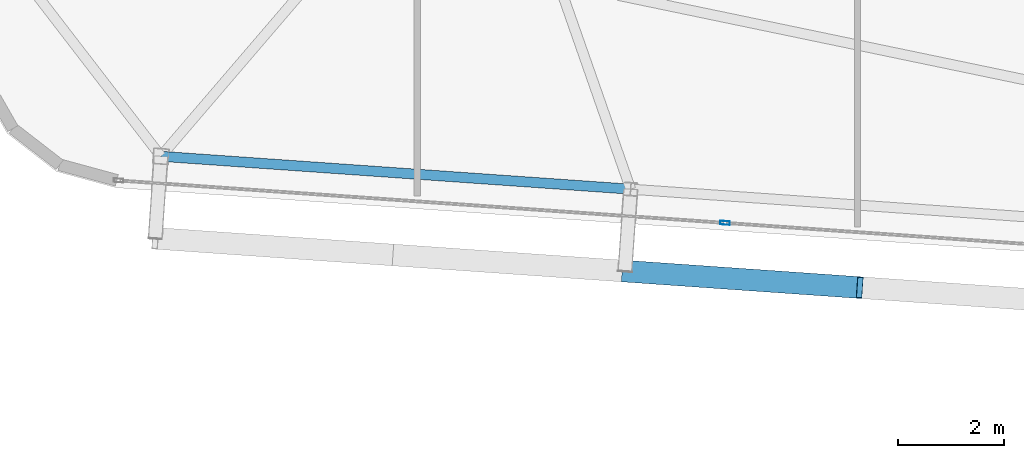
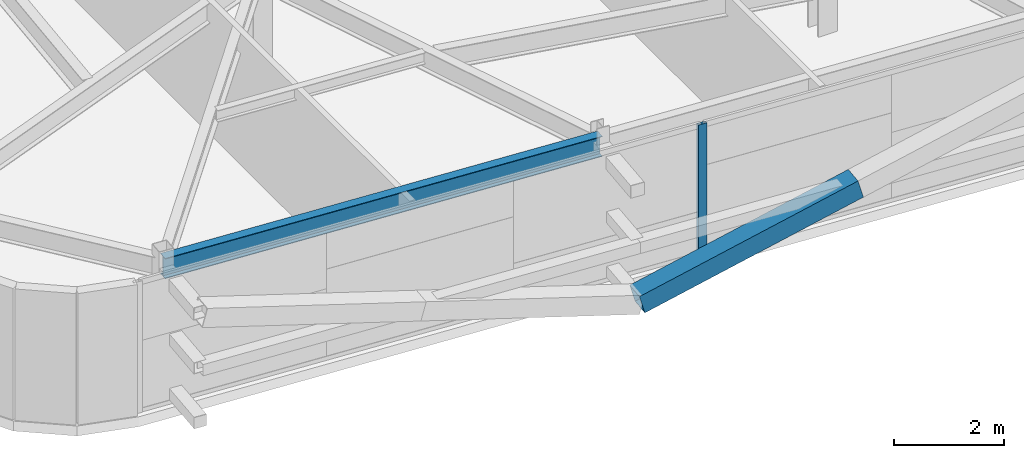
# One storey, part 7 of 39: 2 members, 1 beam, 1 element without a shape of its own.
"""IFC4 building model written with IfcOpenShell, lengths in metres."""

import ifcopenshell
import ifcopenshell.guid

model = None  # the IFC model being written
_history = None  # IfcOwnerHistory: only IFC2X3 demands one
_inside = {}  # id of a spatial element -> (the spatial element, [elements in it])
_under = {}  # id of a project, library or spatial element -> (it, [spatial elements below it])
_declared = {}  # id of a project -> (the project, [libraries it declares])
_typed = {}  # id of a type object -> (the type object, [elements of that type])
_made_of = {}  # id of a material, layer set ... -> (it, [elements and type objects made of it])


def new_model(schema):
    """Start an empty IFC model of exactly this schema.

    Asked for "IFC4X3", IfcOpenShell would pick the latest addendum, in which some entities
    have other attributes; the version numbers below select the first issue.
    IFC2X3 requires an IfcOwnerHistory on every rooted entity: one is made here for all.
    """
    global model, _history
    if schema == "IFC4X3":
        model = ifcopenshell.file(schema_version=(4, 3, 0, 0))
    else:
        model = ifcopenshell.file(schema=schema)
    _inside.clear()
    _under.clear()
    _declared.clear()
    _typed.clear()
    _made_of.clear()
    _history = None
    if model.schema == "IFC2X3":
        org = make("IfcOrganization", Name="unknown")
        user = make(
            "IfcPersonAndOrganization",
            ThePerson=make("IfcPerson", FamilyName="unknown"),
            TheOrganization=org,
        )
        app = make(
            "IfcApplication",
            ApplicationDeveloper=org,
            Version="unknown",
            ApplicationFullName="unknown",
            ApplicationIdentifier="unknown",
        )
        _history = make(
            "IfcOwnerHistory",
            OwningUser=user,
            OwningApplication=app,
            ChangeAction="ADDED",
            CreationDate=0,
        )
    return model


def make(cls, **values):
    """One entity of the class cls with the attributes given. An attribute that is None is left unset."""
    return model.create_entity(
        cls, **{name: value for name, value in values.items() if value is not None}
    )


def rooted(cls, **values):
    """An entity with a GlobalId (a new one), such as an element, a storey or a relation."""
    return make(cls, GlobalId=ifcopenshell.guid.new(), OwnerHistory=_history, **values)


def si_unit(unit_type, name, prefix=None):
    """IfcSIUnit, for example si_unit("LENGTHUNIT", "METRE", prefix="MILLI")."""
    return make("IfcSIUnit", UnitType=unit_type, Prefix=prefix, Name=name)


def assignment(units):
    """IfcUnitAssignment: the units of a project."""
    return None if units is None else make("IfcUnitAssignment", Units=units)


def point(xyz):
    """IfcCartesianPoint."""
    return None if xyz is None else make("IfcCartesianPoint", Coordinates=xyz)


def direction(xyz):
    """IfcDirection."""
    return None if xyz is None else make("IfcDirection", DirectionRatios=xyz)


def frame(location, z_axis=None, x_axis=None):
    """IfcAxis2Placement3D, a coordinate frame: its origin and axes. An axis left out is left unset."""
    return make(
        "IfcAxis2Placement3D",
        Location=point(location),
        Axis=direction(z_axis),
        RefDirection=direction(x_axis),
    )


def frame_2d(location, x_axis=None):
    """IfcAxis2Placement2D, a coordinate frame in the plane: its origin and x axis."""
    return make(
        "IfcAxis2Placement2D", Location=point(location), RefDirection=direction(x_axis)
    )


def origin():
    """The frame at (0, 0, 0) with its axes left unset."""
    return frame((0.0, 0.0, 0.0))


def origin_2d():
    """The frame at (0, 0) in the plane with its x axis left unset."""
    return frame_2d((0.0, 0.0))


def place(relative_to, where):
    """IfcLocalPlacement: puts the frame where relative to a parent placement (None: the world)."""
    return make(
        "IfcLocalPlacement", PlacementRelTo=relative_to, RelativePlacement=where
    )


def context(
    kind, dimensions, precision=None, world=None, true_north=None, identifier=None
):
    """IfcGeometricRepresentationContext, for example the 3D "Model" context."""
    return make(
        "IfcGeometricRepresentationContext",
        ContextIdentifier=identifier,
        ContextType=kind,
        CoordinateSpaceDimension=dimensions,
        Precision=precision,
        WorldCoordinateSystem=world,
        TrueNorth=true_north,
    )


def subcontext(parent, identifier, kind, view, scale=None):
    """IfcGeometricRepresentationSubContext, for example "Body" below "Model"."""
    return make(
        "IfcGeometricRepresentationSubContext",
        ContextIdentifier=identifier,
        ContextType=kind,
        ParentContext=parent,
        TargetScale=scale,
        TargetView=view,
    )


def project(units=None, contexts=None):
    """IfcProject with its units and contexts."""
    return rooted(
        "IfcProject",
        Name="project",
        RepresentationContexts=contexts,
        UnitsInContext=assignment(units),
    )


def spatial(cls, under=None, at=None, **own):
    """A site, building, storey or space (cls), placed at a placement, below another one or the project."""
    s = rooted(cls, ObjectPlacement=at, **own)
    if under is not None:
        _under.setdefault(under.id(), (under, []))[1].append(s)
    return s


def profile(cls, at=None, kind="AREA", **sizes):
    """A parametric profile (cls). Its sizes go by their IFC names, for example OverallWidth=200.0."""
    return make(cls, ProfileType=kind, Position=at, **sizes)


def hollow_rectangle(**sizes):
    """IfcRectangleHollowProfileDef."""
    return profile("IfcRectangleHollowProfileDef", **sizes)


def i_section(**sizes):
    """IfcIShapeProfileDef."""
    return profile("IfcIShapeProfileDef", **sizes)


def extrude(swept, where, along, depth):
    """IfcExtrudedAreaSolid: the profile swept, set in the frame where, extruded along a direction by depth."""
    return make(
        "IfcExtrudedAreaSolid",
        SweptArea=swept,
        Position=where,
        ExtrudedDirection=direction(along),
        Depth=depth,
    )


def shape(context_of_items, identifier, shape_type, items):
    """IfcShapeRepresentation: the items that make up one representation, for example the "Body"."""
    return make(
        "IfcShapeRepresentation",
        ContextOfItems=context_of_items,
        RepresentationIdentifier=identifier,
        RepresentationType=shape_type,
        Items=items,
    )


def source(mapping_origin, context_of_items, identifier, shape_type, items):
    """IfcRepresentationMap: a shape defined once, which mapped items show again and again."""
    return make(
        "IfcRepresentationMap",
        MappingOrigin=mapping_origin,
        MappedRepresentation=shape(context_of_items, identifier, shape_type, items),
    )


def transform(
    local_origin,
    x_axis=None,
    y_axis=None,
    z_axis=None,
    scale=None,
    scale2=None,
    scale3=None,
    uniform=True,
):
    """IfcCartesianTransformationOperator3D, or its non-uniform kind. x_axis, y_axis, z_axis: its Axis1, 2, 3."""
    if uniform:
        return make(
            "IfcCartesianTransformationOperator3D",
            Axis1=direction(x_axis),
            Axis2=direction(y_axis),
            LocalOrigin=point(local_origin),
            Scale=scale,
            Axis3=direction(z_axis),
        )
    return make(
        "IfcCartesianTransformationOperator3DnonUniform",
        Axis1=direction(x_axis),
        Axis2=direction(y_axis),
        LocalOrigin=point(local_origin),
        Scale=scale,
        Axis3=direction(z_axis),
        Scale2=scale2,
        Scale3=scale3,
    )


def mapped(mapping_source, mapping_target):
    """IfcMappedItem: shows the shape of a source again, moved by a transform."""
    return make(
        "IfcMappedItem", MappingSource=mapping_source, MappingTarget=mapping_target
    )


def material(Name=None, Category=None):
    """IfcMaterial."""
    return make("IfcMaterial", Name=Name, Category=Category)


def layer(
    of_material, thickness, ventilated=None, Name=None, Category=None, Priority=None
):
    """IfcMaterialLayer: one layer of a wall or slab, of a material (None: an air gap)."""
    return make(
        "IfcMaterialLayer",
        Material=of_material,
        LayerThickness=thickness,
        IsVentilated=ventilated,
        Name=Name,
        Category=Category,
        Priority=Priority,
    )


def layer_set(layers, Name=None):
    """IfcMaterialLayerSet."""
    return make("IfcMaterialLayerSet", MaterialLayers=layers, LayerSetName=Name)


def material_profile(
    of_material, cross_section, Name=None, Category=None, Priority=None
):
    """IfcMaterialProfile: a cross section and its material."""
    return make(
        "IfcMaterialProfile",
        Name=Name,
        Material=of_material,
        Profile=cross_section,
        Priority=Priority,
        Category=Category,
    )


def profile_set(profiles, Name=None, composite=None):
    """IfcMaterialProfileSet."""
    return make(
        "IfcMaterialProfileSet",
        Name=Name,
        MaterialProfiles=profiles,
        CompositeProfile=composite,
    )


def made_of(thing, what):
    """Note that an element or type object is made of a material, layer set ...; save() writes the relation."""
    if what is not None:
        _made_of.setdefault(what.id(), (what, []))[1].append(thing)
    return thing


def type_object(cls, material=None, **own):
    """A type object (cls), such as IfcWallType, which elements share."""
    return made_of(rooted(cls, **own), material)


def element(
    cls,
    number,
    at=None,
    inside=None,
    cuts=None,
    type_object=None,
    material=None,
    context=None,
    identifier="Body",
    shape_type=None,
    held_by="IfcProductDefinitionShape",
    body=None,
    shapes=None,
    **own,
):
    """One element of the class cls, such as IfcWall. Its Tag is "e" and its number.

    at: its placement. inside: the storey or other place that contains it. cuts: it is an
    opening in that element (IfcRelVoidsElement). A single representation is given by context,
    identifier, shape_type and body (its items); several are given by shapes. held_by: the class
    of the entity that holds the representations. save() writes the other relations.
    """
    e = rooted(cls, Tag="e%d" % number, ObjectPlacement=at, **own)
    if body is not None:
        shapes = [shape(context, identifier, shape_type, body)]
    if shapes is not None:
        e.Representation = make(held_by, Representations=shapes)
    if inside is not None:
        _inside.setdefault(inside.id(), (inside, []))[1].append(e)
    if cuts is not None:
        rooted(
            "IfcRelVoidsElement", RelatingBuildingElement=cuts, RelatedOpeningElement=e
        )
    if type_object is not None:
        _typed.setdefault(type_object.id(), (type_object, []))[1].append(e)
    return made_of(e, material)


def aggregate(whole, parts):
    """IfcRelAggregates: a whole, such as a stair, and the parts it consists of."""
    return rooted("IfcRelAggregates", RelatingObject=whole, RelatedObjects=parts)


def save(model, path):
    """Write the relations noted so far, then the file.

    IfcRelAggregates (storeys below a building ...), IfcRelContainedInSpatialStructure (elements
    in a storey), IfcRelDefinesByType, IfcRelAssociatesMaterial and IfcRelDeclares: one each for
    every whole, place, type object, material and project.
    """
    for whole, parts in _under.values():
        aggregate(whole, parts)
    for where, things in _inside.values():
        rooted(
            "IfcRelContainedInSpatialStructure",
            RelatedElements=things,
            RelatingStructure=where,
        )
    for kind, things in _typed.values():
        rooted("IfcRelDefinesByType", RelatedObjects=things, RelatingType=kind)
    for what, things in _made_of.values():
        rooted("IfcRelAssociatesMaterial", RelatedObjects=things, RelatingMaterial=what)
    for by, libraries in _declared.values():
        rooted("IfcRelDeclares", RelatingContext=by, RelatedDefinitions=libraries)
    model.write(path)


model = new_model("IFC4")

# Units and contexts
model_context = context("Model", 3, precision=1e-05, world=origin(), true_north=direction((0.0, 1.0)))
body_context = subcontext(model_context, "Body", "Model", "MODEL_VIEW")
ifc_project = project(units=[si_unit("LENGTHUNIT", "METRE"), si_unit("AREAUNIT", "SQUARE_METRE"), si_unit("VOLUMEUNIT", "CUBIC_METRE"), si_unit("PLANEANGLEUNIT", "RADIAN"), si_unit("MASSUNIT", "GRAM", prefix="KILO")], contexts=[model_context])

# Site, building, storey
site_placement = place(None, origin())
site = spatial("IfcSite", under=ifc_project, at=site_placement, CompositionType="ELEMENT")
building_placement = place(site_placement, origin())
building = spatial("IfcBuilding", under=site, at=building_placement, Name="Taldren Reach Tower", CompositionType="ELEMENT")
storey_placement = place(building_placement, frame((0.0, 0.0, 148.75)))
storey = spatial("IfcBuildingStorey", under=building, at=storey_placement, Name="L45", CompositionType="ELEMENT", Elevation=148.75)

# Beam
ifc_material_1 = material(Name="Steel Gr 350 (350PLUS)", Category="steel")
ifc_material_profile_1 = material_profile(ifc_material_1, i_section(OverallWidth=0.18994140625, OverallDepth=0.4541015625, WebThickness=0.008544921875, FlangeThickness=0.0126953125, at=origin_2d()), Name="460UB67.1")
ifc_profile_set_1 = profile_set([ifc_material_profile_1], Name="Steel Gr 350 (350PLUS)")
beam_type = type_object("IfcBeamType", Name="SP-UB460B", PredefinedType="SPANDREL", material=ifc_profile_set_1)
shared_shape_1 = source(origin(), body_context, "Body", "SweptSolid", [
    extrude(i_section(OverallWidth=0.18994140625, OverallDepth=0.4541015625, WebThickness=0.008544921875, FlangeThickness=0.0126953125, at=origin_2d()), origin(), (0.0, 0.0, 1.0), 8.880126953125),
])
beam_placement = place(storey_placement, frame((11.863525390625, 5.33837890625, 2.702880859375), z_axis=(0.997564479639, -0.069750333063, 0.0), x_axis=(0.069750333063, 0.997564479639, 0.0)))
element("IfcBeam", 1, at=beam_placement, inside=storey, type_object=beam_type, Name="Perimeter spandrel B3 S1-S2 L45", PredefinedType="SPANDREL", context=body_context, shape_type="MappedRepresentation", body=[
    mapped(shared_shape_1, transform((0.0, 0.0, 0.0), scale=1.0)),
])

# Member
ifc_material_2 = material(Name="Steel Gr 450 (C450L0)", Category="steel")
ifc_material_profile_2 = material_profile(ifc_material_2, hollow_rectangle(XDim=0.409912109375, YDim=0.409912109375, WallThickness=0.01611328125, at=origin_2d()), Name="410x410x16.0SHS")
ifc_profile_set_2 = profile_set([ifc_material_profile_2], Name="Steel Gr 450 (C450L0)")
member_type_1 = type_object("IfcMemberType", Name="MB-EXO406", PredefinedType="BRACE", material=ifc_profile_set_2)
shared_shape_2 = source(origin(), body_context, "Body", "SweptSolid", [
    extrude(hollow_rectangle(XDim=0.409912109375, YDim=0.409912109375, WallThickness=0.01611328125, at=origin_2d()), origin(), (0.0, 0.0, 1.0), 4.603271484375),
])
member_1_placement = place(storey_placement, frame((20.61376953125, 3.1728515625, 0.219970703125), z_axis=(0.962182351074, -0.067302910567, 0.263961060594), x_axis=(0.06977769246, 0.997562566276, 0.0)))
element("IfcMember", 2, at=member_1_placement, inside=storey, type_object=member_type_1, Name="Exoskeleton Diagrid Brace B3-S2 L45", PredefinedType="BRACE", context=body_context, shape_type="MappedRepresentation", body=[
    mapped(shared_shape_2, transform((0.0, 0.0, 0.0), scale=1.0)),
])

# Curtain wall, member
ifc_material_3 = material(Name="Aluminium and Low-E Glass Unitised System", Category="aluminium")
ifc_layer = layer(ifc_material_3, 0.159912109375)
ifc_layer_set = layer_set([ifc_layer], Name="Aluminium and Low-E Glass Unitised System")
curtain_wall_type = type_object("IfcCurtainWallType", Name="CW-SYS-4", PredefinedType="NOTDEFINED", material=ifc_layer_set)
curtain_wall_placement = place(storey_placement, origin())
curtain_wall = element("IfcCurtainWall", 3, at=curtain_wall_placement, inside=storey, type_object=curtain_wall_type, Name="Unitised curtain wall CW-L45-S", PredefinedType="NOTDEFINED")
ifc_material_4 = material(Name="Anodised Aluminium 6063-T6", Category="aluminium")
ifc_material_profile_3 = material_profile(ifc_material_4, hollow_rectangle(XDim=0.070068359375, YDim=0.179931640625, WallThickness=0.00390625, at=origin_2d()), Name="ALU-180x70x4RHS")
ifc_profile_set_3 = profile_set([ifc_material_profile_3], Name="Anodised Aluminium 6063-T6")
member_type_2 = type_object("IfcMemberType", Name="CW-MUL-180", PredefinedType="MULLION", material=ifc_profile_set_3)
shared_shape_3 = source(origin(), body_context, "Body", "SweptSolid", [
    extrude(hollow_rectangle(XDim=0.070068359375, YDim=0.179931640625, WallThickness=0.00390625, at=origin_2d()), origin(), (0.0, 0.0, 1.0), 2.929931640625),
])
member_2_placement = place(storey_placement, frame((22.501953125, 4.083251953125, 0.0), z_axis=(0.0, 0.0, 1.0), x_axis=(0.06975651593, 0.99756404731, 0.0)))
member_2 = element("IfcMember", 4, at=member_2_placement, type_object=member_type_2, Name="CW-4 mullion 2", PredefinedType="MULLION", context=body_context, shape_type="MappedRepresentation", body=[
    mapped(shared_shape_3, transform((0.0, 0.0, 0.0), scale=1.0)),
])
aggregate(curtain_wall, [member_2])

save(model, "model.ifc")
